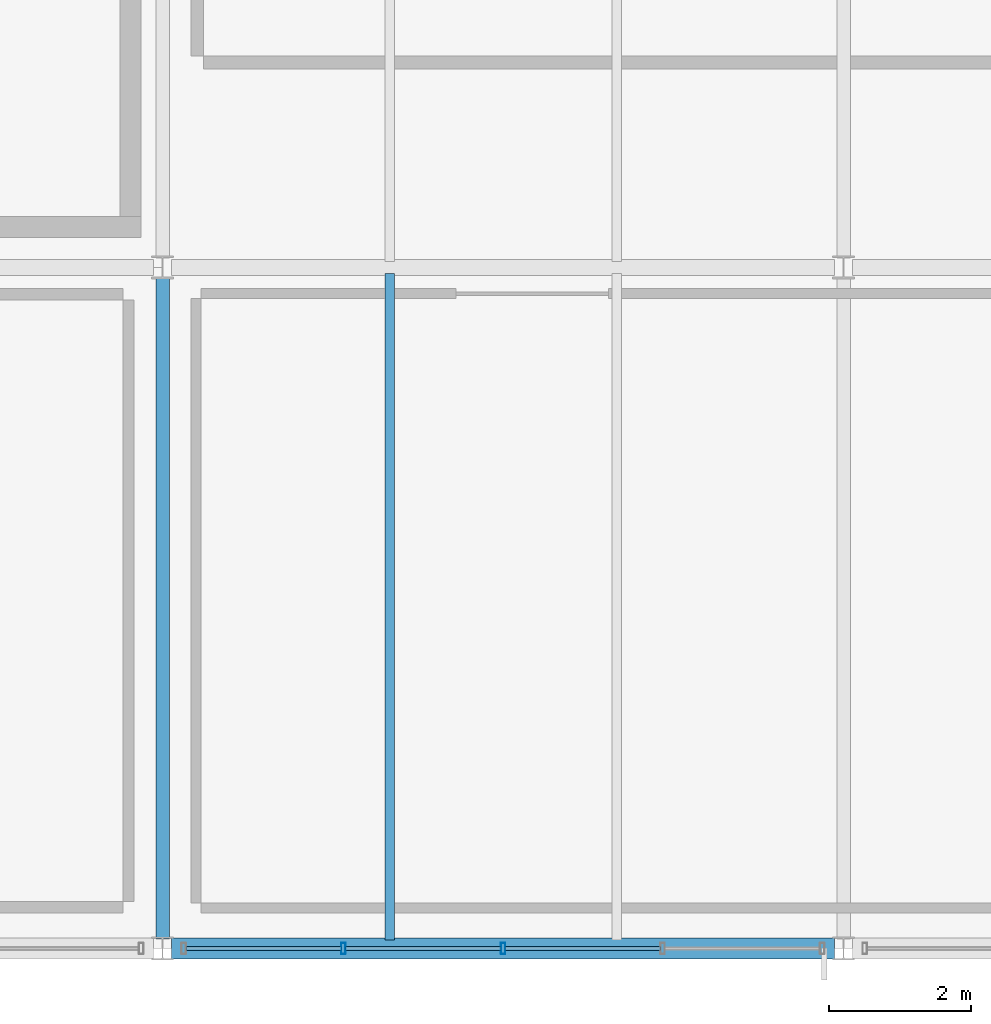
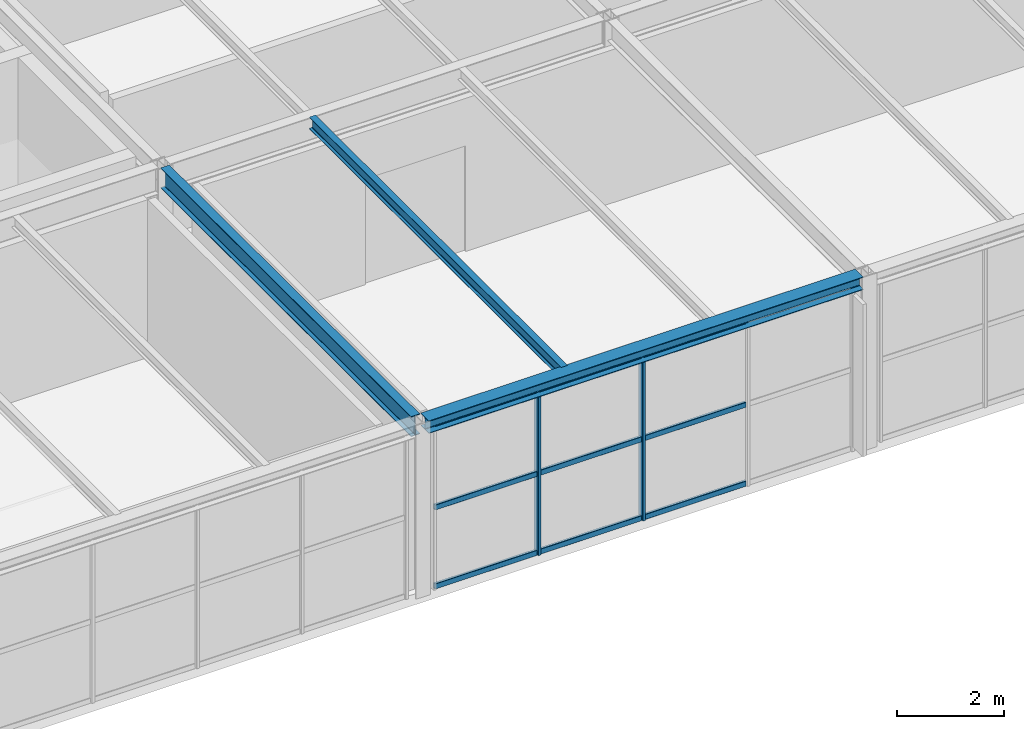
# One storey, part 23 of 50: 11 members, 3 beams, 1 element without a shape of its own.
"""IFC4 building model written with IfcOpenShell, lengths in metres."""

from ifc_helpers import new_model, si_unit, direction, frame, origin, origin_2d, place, context, subcontext, project, spatial, hollow_rectangle, i_section, extrude, material, material_profile, profile_set, type_object, element, aggregate, save


model = new_model("IFC4")

# Units and contexts
model_context = context("Model", 3, precision=1e-05, world=origin(), true_north=direction((0.0, 1.0)))
body_context = subcontext(model_context, "Body", "Model", "MODEL_VIEW")
ifc_project = project(units=[si_unit("LENGTHUNIT", "METRE"), si_unit("AREAUNIT", "SQUARE_METRE"), si_unit("VOLUMEUNIT", "CUBIC_METRE"), si_unit("PLANEANGLEUNIT", "RADIAN"), si_unit("MASSUNIT", "GRAM", prefix="KILO")], contexts=[model_context])

# Site, building, storey
site_placement = place(None, origin())
site = spatial("IfcSite", under=ifc_project, at=site_placement, CompositionType="ELEMENT")
building_placement = place(site_placement, origin())
building = spatial("IfcBuilding", under=site, at=building_placement, Name="Coralgate Yard Interchange", CompositionType="ELEMENT")
storey_placement = place(building_placement, frame((0.0, 0.0, 14.699951171875)))
storey = spatial("IfcBuildingStorey", under=building, at=storey_placement, Name="L03", CompositionType="ELEMENT", Elevation=14.699951171875)

# Beams
ifc_material_1 = material(Name="Structural steel S355J2", Category="steel")
ifc_material_profile_1 = material_profile(ifc_material_1, i_section(OverallWidth=0.1904296875, OverallDepth=0.45703125, WebThickness=0.009033203125, FlangeThickness=0.014404296875, FilletRadius=0.01025390625, at=origin_2d()), Name="UB 457x191x74")
ifc_profile_set_1 = profile_set([ifc_material_profile_1], Name="Structural steel S355J2")
beam_type_1 = type_object("IfcBeamType", Name="BM-SB-2", PredefinedType="BEAM", material=ifc_profile_set_1)
beam_1_placement = place(storey_placement, frame((57.60009765625, 0.133544921875, 3.721435546875), z_axis=(0.0, 1.0, 0.0), x_axis=(-1.0, 0.0, 0.0)))
element("IfcBeam", 1, at=beam_1_placement, inside=storey, type_object=beam_type_1, Name="L03 primary grid girder X6 Y0-1", PredefinedType="BEAM", context=body_context, shape_type="SweptSolid", body=[
    extrude(i_section(OverallWidth=0.1904296875, OverallDepth=0.45703125, WebThickness=0.009033203125, FlangeThickness=0.014404296875, FilletRadius=0.01025390625, at=origin_2d()), origin(), (0.0, 0.0, 1.0), 9.3330078125),
])
ifc_material_profile_2 = material_profile(ifc_material_1, i_section(OverallWidth=0.135009765625, OverallDepth=0.27001953125, WebThickness=0.006591796875, FlangeThickness=0.01025390625, FilletRadius=0.014892578125, at=origin_2d()), Name="IPE 270")
ifc_profile_set_2 = profile_set([ifc_material_profile_2], Name="Structural steel S355J2")
beam_type_2 = type_object("IfcBeamType", Name="BM-SJ-3", PredefinedType="JOIST", material=ifc_profile_set_2)
beam_2_placement = place(storey_placement, frame((60.800048828125, 0.1201171875, 3.81494140625), z_axis=(0.0, 1.0, 0.0), x_axis=(-1.0, 0.0, 0.0)))
element("IfcBeam", 2, at=beam_2_placement, inside=storey, type_object=beam_type_2, Name="L03 composite floor joist 6-0-1", PredefinedType="JOIST", context=body_context, shape_type="SweptSolid", body=[
    extrude(i_section(OverallWidth=0.135009765625, OverallDepth=0.27001953125, WebThickness=0.006591796875, FlangeThickness=0.01025390625, FilletRadius=0.014892578125, at=origin_2d()), origin(), (0.0, 0.0, 1.0), 9.395751953125),
])
ifc_material_profile_3 = material_profile(ifc_material_1, i_section(OverallWidth=0.300048828125, OverallDepth=0.2900390625, WebThickness=0.008544921875, FlangeThickness=0.013916015625, FilletRadius=0.027099609375, at=origin_2d()), Name="HEA 300")
ifc_profile_set_3 = profile_set([ifc_material_profile_3], Name="Structural steel S355J2")
beam_type_3 = type_object("IfcBeamType", Name="BM-SP-2", PredefinedType="SPANDREL", material=ifc_profile_set_3)
beam_3_placement = place(storey_placement, frame((57.7255859375, 0.0, 3.804931640625), z_axis=(1.0, 0.0, 0.0), x_axis=(0.0, 1.0, 0.0)))
element("IfcBeam", 3, at=beam_3_placement, inside=storey, type_object=beam_type_3, Name="L03 primary grid beam Y0 X6-7", PredefinedType="SPANDREL", context=body_context, shape_type="SweptSolid", body=[
    extrude(i_section(OverallWidth=0.300048828125, OverallDepth=0.2900390625, WebThickness=0.008544921875, FlangeThickness=0.013916015625, FilletRadius=0.027099609375, at=origin_2d()), origin(), (0.0, 0.0, 1.0), 9.348876953125),
])

# Curtain wall, members
ifc_material_2 = material(Name="Anodised coastal aluminium and solar-control low-E glass", Category="aluminium")
curtain_wall_type = type_object("IfcCurtainWallType", Name="CW-CW-L03-A", PredefinedType="NOTDEFINED", material=ifc_material_2)
curtain_wall_placement = place(storey_placement, origin())
curtain_wall = element("IfcCurtainWall", 4, at=curtain_wall_placement, inside=storey, type_object=curtain_wall_type, Name="L03 unitised curtain wall CW-L03-S-06-00", PredefinedType="NOTDEFINED")
ifc_material_3 = material(Name="Anodised coastal aluminium 6063-T6", Category="aluminium")
ifc_material_profile_4 = material_profile(ifc_material_3, hollow_rectangle(XDim=0.06494140625, YDim=0.159912109375, WallThickness=0.00390625, InnerFilletRadius=0.00390625, OuterFilletRadius=0.008056640625, at=origin_2d()), Name="ALU 65x160x4")
ifc_profile_set_4 = profile_set([ifc_material_profile_4], Name="Anodised coastal aluminium 6063-T6")
member_type_1 = type_object("IfcMemberType", Name="MB-MUL-160", PredefinedType="MULLION", material=ifc_profile_set_4)
member_1_placement = place(storey_placement, frame((62.39990234375, 0.0, 0.0), z_axis=(0.0, 0.0, 1.0), x_axis=(1.0, 0.0, 0.0)))
member_1 = element("IfcMember", 5, at=member_1_placement, type_object=member_type_1, Name="CW-L03-S-06-00 vertical mullion 3", PredefinedType="MULLION", context=body_context, shape_type="SweptSolid", body=[
    extrude(hollow_rectangle(XDim=0.06494140625, YDim=0.159912109375, WallThickness=0.00390625, InnerFilletRadius=0.00390625, OuterFilletRadius=0.008056640625, at=origin_2d()), origin(), (0.0, 0.0, 1.0), 3.66015625),
])
member_2_placement = place(storey_placement, frame((60.14990234375, 0.0, 0.0), z_axis=(0.0, 0.0, 1.0), x_axis=(1.0, 0.0, 0.0)))
member_2 = element("IfcMember", 6, at=member_2_placement, type_object=member_type_1, Name="CW-L03-S-06-00 vertical mullion 4", PredefinedType="MULLION", context=body_context, shape_type="SweptSolid", body=[
    extrude(hollow_rectangle(XDim=0.06494140625, YDim=0.159912109375, WallThickness=0.00390625, InnerFilletRadius=0.00390625, OuterFilletRadius=0.008056640625, at=origin_2d()), origin(), (0.0, 0.0, 1.0), 3.66015625),
])
ifc_material_profile_5 = material_profile(ifc_material_3, hollow_rectangle(XDim=0.06005859375, YDim=0.1201171875, WallThickness=0.00341796875, InnerFilletRadius=0.00341796875, OuterFilletRadius=0.007080078125, at=origin_2d()), Name="ALU 60x120x3.5")
ifc_profile_set_5 = profile_set([ifc_material_profile_5], Name="Anodised coastal aluminium 6063-T6")
member_type_2 = type_object("IfcMemberType", Name="MB-TRN-120", PredefinedType="USERDEFINED", material=ifc_profile_set_5)
member_3_placement = place(storey_placement, frame((64.6201171875, 0.0, 0.03515625), z_axis=(-1.0, 0.0, 0.0), x_axis=(0.0, -1.0, 0.0)))
member_3 = element("IfcMember", 7, at=member_3_placement, type_object=member_type_2, Name="CW-L03-S-06-00 horizontal transom 2-1", ObjectType="TRANSOM", PredefinedType="USERDEFINED", context=body_context, shape_type="SweptSolid", body=[
    extrude(hollow_rectangle(XDim=0.06005859375, YDim=0.1201171875, WallThickness=0.00341796875, InnerFilletRadius=0.00341796875, OuterFilletRadius=0.007080078125, at=origin_2d()), origin(), (0.0, 0.0, 1.0), 2.190185546875),
])
member_4_placement = place(storey_placement, frame((64.6201171875, 0.0, 1.830078125), z_axis=(-1.0, 0.0, 0.0), x_axis=(0.0, -1.0, 0.0)))
member_4 = element("IfcMember", 8, at=member_4_placement, type_object=member_type_2, Name="CW-L03-S-06-00 horizontal transom 2-2", ObjectType="TRANSOM", PredefinedType="USERDEFINED", context=body_context, shape_type="SweptSolid", body=[
    extrude(hollow_rectangle(XDim=0.06005859375, YDim=0.1201171875, WallThickness=0.00341796875, InnerFilletRadius=0.00341796875, OuterFilletRadius=0.007080078125, at=origin_2d()), origin(), (0.0, 0.0, 1.0), 2.190185546875),
])
member_5_placement = place(storey_placement, frame((64.6201171875, 0.0, 3.625), z_axis=(-1.0, 0.0, 0.0), x_axis=(0.0, -1.0, 0.0)))
member_5 = element("IfcMember", 9, at=member_5_placement, type_object=member_type_2, Name="CW-L03-S-06-00 horizontal transom 2-3", ObjectType="TRANSOM", PredefinedType="USERDEFINED", context=body_context, shape_type="SweptSolid", body=[
    extrude(hollow_rectangle(XDim=0.06005859375, YDim=0.1201171875, WallThickness=0.00341796875, InnerFilletRadius=0.00341796875, OuterFilletRadius=0.007080078125, at=origin_2d()), origin(), (0.0, 0.0, 1.0), 2.190185546875),
])
member_6_placement = place(storey_placement, frame((62.3701171875, 0.0, 0.03515625), z_axis=(-1.0, 0.0, 0.0), x_axis=(0.0, -1.0, 0.0)))
member_6 = element("IfcMember", 10, at=member_6_placement, type_object=member_type_2, Name="CW-L03-S-06-00 horizontal transom 3-1", ObjectType="TRANSOM", PredefinedType="USERDEFINED", context=body_context, shape_type="SweptSolid", body=[
    extrude(hollow_rectangle(XDim=0.06005859375, YDim=0.1201171875, WallThickness=0.00341796875, InnerFilletRadius=0.00341796875, OuterFilletRadius=0.007080078125, at=origin_2d()), origin(), (0.0, 0.0, 1.0), 2.190185546875),
])
member_7_placement = place(storey_placement, frame((62.3701171875, 0.0, 1.830078125), z_axis=(-1.0, 0.0, 0.0), x_axis=(0.0, -1.0, 0.0)))
member_7 = element("IfcMember", 11, at=member_7_placement, type_object=member_type_2, Name="CW-L03-S-06-00 horizontal transom 3-2", ObjectType="TRANSOM", PredefinedType="USERDEFINED", context=body_context, shape_type="SweptSolid", body=[
    extrude(hollow_rectangle(XDim=0.06005859375, YDim=0.1201171875, WallThickness=0.00341796875, InnerFilletRadius=0.00341796875, OuterFilletRadius=0.007080078125, at=origin_2d()), origin(), (0.0, 0.0, 1.0), 2.190185546875),
])
member_8_placement = place(storey_placement, frame((62.3701171875, 0.0, 3.625), z_axis=(-1.0, 0.0, 0.0), x_axis=(0.0, -1.0, 0.0)))
member_8 = element("IfcMember", 12, at=member_8_placement, type_object=member_type_2, Name="CW-L03-S-06-00 horizontal transom 3-3", ObjectType="TRANSOM", PredefinedType="USERDEFINED", context=body_context, shape_type="SweptSolid", body=[
    extrude(hollow_rectangle(XDim=0.06005859375, YDim=0.1201171875, WallThickness=0.00341796875, InnerFilletRadius=0.00341796875, OuterFilletRadius=0.007080078125, at=origin_2d()), origin(), (0.0, 0.0, 1.0), 2.190185546875),
])
member_9_placement = place(storey_placement, frame((60.1201171875, 0.0, 0.03515625), z_axis=(-1.0, 0.0, 0.0), x_axis=(0.0, -1.0, 0.0)))
member_9 = element("IfcMember", 13, at=member_9_placement, type_object=member_type_2, Name="CW-L03-S-06-00 horizontal transom 4-1", ObjectType="TRANSOM", PredefinedType="USERDEFINED", context=body_context, shape_type="SweptSolid", body=[
    extrude(hollow_rectangle(XDim=0.06005859375, YDim=0.1201171875, WallThickness=0.00341796875, InnerFilletRadius=0.00341796875, OuterFilletRadius=0.007080078125, at=origin_2d()), origin(), (0.0, 0.0, 1.0), 2.190185546875),
])
member_10_placement = place(storey_placement, frame((60.1201171875, 0.0, 1.830078125), z_axis=(-1.0, 0.0, 0.0), x_axis=(0.0, -1.0, 0.0)))
member_10 = element("IfcMember", 14, at=member_10_placement, type_object=member_type_2, Name="CW-L03-S-06-00 horizontal transom 4-2", ObjectType="TRANSOM", PredefinedType="USERDEFINED", context=body_context, shape_type="SweptSolid", body=[
    extrude(hollow_rectangle(XDim=0.06005859375, YDim=0.1201171875, WallThickness=0.00341796875, InnerFilletRadius=0.00341796875, OuterFilletRadius=0.007080078125, at=origin_2d()), origin(), (0.0, 0.0, 1.0), 2.190185546875),
])
member_11_placement = place(storey_placement, frame((60.1201171875, 0.0, 3.625), z_axis=(-1.0, 0.0, 0.0), x_axis=(0.0, -1.0, 0.0)))
member_11 = element("IfcMember", 15, at=member_11_placement, type_object=member_type_2, Name="CW-L03-S-06-00 horizontal transom 4-3", ObjectType="TRANSOM", PredefinedType="USERDEFINED", context=body_context, shape_type="SweptSolid", body=[
    extrude(hollow_rectangle(XDim=0.06005859375, YDim=0.1201171875, WallThickness=0.00341796875, InnerFilletRadius=0.00341796875, OuterFilletRadius=0.007080078125, at=origin_2d()), origin(), (0.0, 0.0, 1.0), 2.190185546875),
])
aggregate(curtain_wall, [member_1, member_2, member_3, member_4, member_5, member_6, member_7, member_8, member_9, member_10, member_11])

save(model, "model.ifc")
